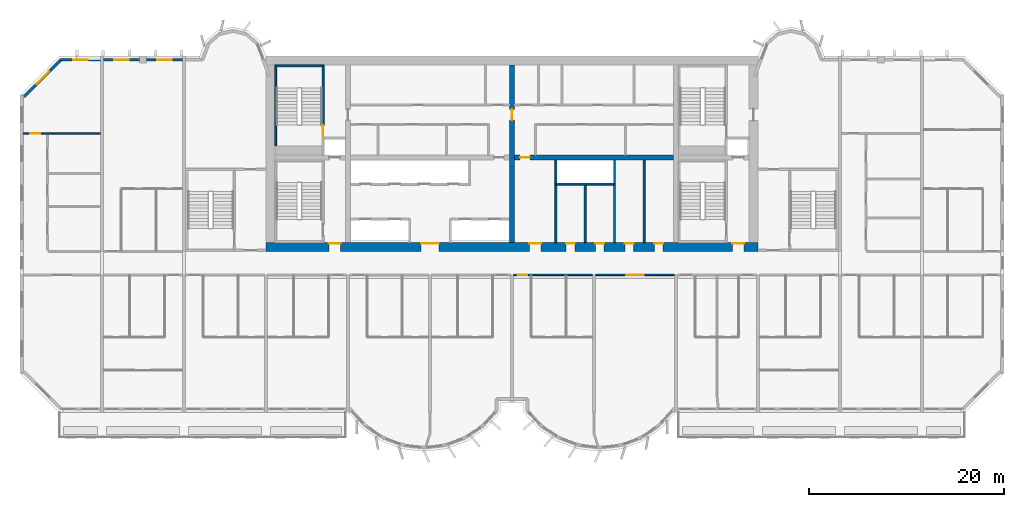
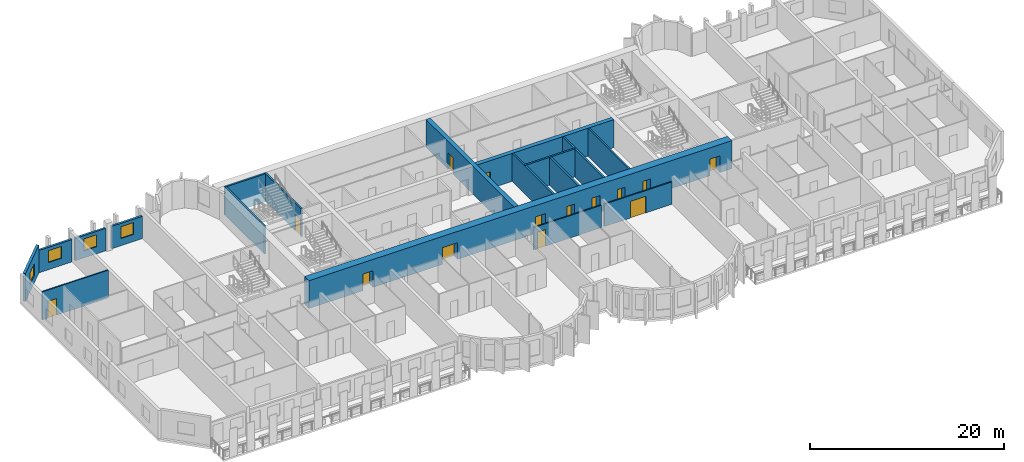
# One storey, part 6 of 14: 18 walls, 14 doors, 4 windows, 18 openings.
"""IFC4 building model written with IfcOpenShell, lengths in metres."""

from ifc_helpers import new_model, si_unit, direction, frame, frame_2d, origin, place, context, subcontext, project, spatial, rectangle, extrude, source, transform, mapped, material, layer, layer_set, type_object, element, fill, save


model = new_model("IFC4")

# Units and contexts
model_context = context("Model", 3, precision=1e-05, world=origin(), true_north=direction((0.0, 1.0)))
body_context = subcontext(model_context, "Body", "Model", "MODEL_VIEW")
ifc_project = project(units=[si_unit("LENGTHUNIT", "METRE"), si_unit("AREAUNIT", "SQUARE_METRE"), si_unit("VOLUMEUNIT", "CUBIC_METRE"), si_unit("PLANEANGLEUNIT", "RADIAN"), si_unit("MASSUNIT", "GRAM", prefix="KILO")], contexts=[model_context])

# Site, building, storey
site_placement = place(None, origin())
site = spatial("IfcSite", under=ifc_project, at=site_placement, CompositionType="ELEMENT")
building_placement = place(site_placement, origin())
building = spatial("IfcBuilding", under=site, at=building_placement, Name="Vanashikhar Sky Hotel", CompositionType="ELEMENT")
storey_placement = place(building_placement, frame((0.0, 0.0, 114.199951171875)))
storey = spatial("IfcBuildingStorey", under=building, at=storey_placement, Name="L27", CompositionType="ELEMENT", Elevation=114.199951171875)

# Wall, openings, doors
ifc_material_1 = material(Name="Concrete M70", Category="concrete")
ifc_layer_1 = layer(ifc_material_1, 0.89990234375)
ifc_layer_set_1 = layer_set([ifc_layer_1], Name="RC core shell wall 900 Concrete M70")
wall_type_1 = type_object("IfcWallType", Name="RC core shell wall 900 Concrete M70", PredefinedType="SHEAR", material=ifc_layer_set_1)
shared_shape_1 = source(origin(), body_context, "Body", "SweptSolid", [
    extrude(rectangle(XDim=50.400146484375, YDim=0.89990234375, at=frame_2d((25.2001953125, 0.0))), origin(), (0.0, 0.0, 1.0), 3.52001953125),
])
wall_1_placement = place(storey_placement, frame((25.199951171875, 22.449951171875, 0.0), z_axis=(0.0, 0.0, 1.0), x_axis=(1.0, 0.0, 0.0)))
wall_1 = element("IfcWall", 1, at=wall_1_placement, inside=storey, type_object=wall_type_1, Name="KW-L27-KS", PredefinedType="SHEAR", context=body_context, shape_type="MappedRepresentation", body=[
    mapped(shared_shape_1, transform((0.0, 0.0, 0.0), scale=1.0)),
])
shared_shape_2 = source(origin(), body_context, "Body", "SweptSolid", [
    extrude(rectangle(XDim=1.800048828125, YDim=2.10009765625, at=frame_2d((0.89990234375, 1.050048828125))), frame((0.0, 0.4599609375, 0.0), z_axis=(0.0, -1.0, 0.0), x_axis=(1.0, 0.0, 0.0)), (0.0, 0.0, 1.0), 0.919921875),
])
opening_1_placement = place(wall_1_placement, frame((15.89990234375, 0.0, 0.0)))
opening_1 = element("IfcOpeningElement", 2, at=opening_1_placement, cuts=wall_1, Name="Opening DC-3-A", PredefinedType="OPENING", context=body_context, shape_type="MappedRepresentation", body=[
    mapped(shared_shape_2, transform((0.0, 0.0, 0.0), scale=1.0)),
])
shared_shape_3 = source(origin(), body_context, "Body", "SweptSolid", [
    extrude(rectangle(XDim=1.199951171875, YDim=2.10009765625, at=frame_2d((0.60009765625, 1.050048828125))), frame((0.0, 0.4599609375, 0.0), z_axis=(0.0, -1.0, 0.0), x_axis=(1.0, 0.0, 0.0)), (0.0, 0.0, 1.0), 0.919921875),
])
opening_2_placement = place(wall_1_placement, frame((26.97509765625, 0.0, 0.0)))
opening_2 = element("IfcOpeningElement", 3, at=opening_2_placement, cuts=wall_1, Name="Opening DC-4-B", PredefinedType="OPENING", context=body_context, shape_type="MappedRepresentation", body=[
    mapped(shared_shape_3, transform((0.0, 0.0, 0.0), scale=1.0)),
])
shared_shape_4 = source(origin(), body_context, "Body", "SweptSolid", [
    extrude(rectangle(XDim=0.89990234375, YDim=2.10009765625, at=frame_2d((0.449951171875, 1.050048828125))), frame((0.0, 0.4599609375, 0.0), z_axis=(0.0, -1.0, 0.0), x_axis=(1.0, 0.0, 0.0)), (0.0, 0.0, 1.0), 0.919921875),
])
opening_3_placement = place(wall_1_placement, frame((33.75, 0.0, 0.0)))
opening_3 = element("IfcOpeningElement", 4, at=opening_3_placement, cuts=wall_1, Name="Opening DC-4-A", PredefinedType="OPENING", context=body_context, shape_type="MappedRepresentation", body=[
    mapped(shared_shape_4, transform((0.0, 0.0, 0.0), scale=1.0)),
])
opening_4_placement = place(wall_1_placement, frame((30.75, 0.0, 0.0)))
opening_4 = element("IfcOpeningElement", 5, at=opening_4_placement, cuts=wall_1, Name="Opening DC-4-A", PredefinedType="OPENING", context=body_context, shape_type="MappedRepresentation", body=[
    mapped(shared_shape_4, transform((0.0, 0.0, 0.0), scale=1.0)),
])
opening_5_placement = place(wall_1_placement, frame((39.7880859375, 0.0, 0.0)))
opening_5 = element("IfcOpeningElement", 6, at=opening_5_placement, cuts=wall_1, Name="Opening DC-4-A", PredefinedType="OPENING", context=body_context, shape_type="MappedRepresentation", body=[
    mapped(shared_shape_4, transform((0.0, 0.0, 0.0), scale=1.0)),
])
opening_6_placement = place(wall_1_placement, frame((36.761962890625, 0.0, 0.0)))
opening_6 = element("IfcOpeningElement", 7, at=opening_6_placement, cuts=wall_1, Name="Opening DC-4-A", PredefinedType="OPENING", context=body_context, shape_type="MappedRepresentation", body=[
    mapped(shared_shape_4, transform((0.0, 0.0, 0.0), scale=1.0)),
])
opening_7_placement = place(wall_1_placement, frame((6.449951171875, 0.0, 0.0)))
opening_7 = element("IfcOpeningElement", 8, at=opening_7_placement, cuts=wall_1, Name="Opening DC-2", PredefinedType="OPENING", context=body_context, shape_type="MappedRepresentation", body=[
    mapped(shared_shape_3, transform((0.0, 0.0, 0.0), scale=1.0)),
])
opening_8_placement = place(wall_1_placement, frame((47.77490234375, 0.0, 0.0)))
opening_8 = element("IfcOpeningElement", 9, at=opening_8_placement, cuts=wall_1, Name="Opening DC-2", PredefinedType="OPENING", context=body_context, shape_type="MappedRepresentation", body=[
    mapped(shared_shape_3, transform((0.0, 0.0, 0.0), scale=1.0)),
])
ifc_material_2 = material(Name="Glass", Category="glass")
door_type_1 = type_object("IfcDoorType", Name="Lift lobby entrance door 1800 FD30S", OperationType="NOTDEFINED", PredefinedType="DOOR", material=ifc_material_2)
shared_shape_5 = source(origin(), body_context, "Body", "SweptSolid", [
    extrude(rectangle(XDim=1.800048828125, YDim=2.10009765625, at=frame_2d((0.89990234375, 1.050048828125))), frame((0.0, 0.375, 0.0), z_axis=(0.0, -1.0, 0.0), x_axis=(1.0, 0.0, 0.0)), (0.0, 0.0, 1.0), 0.050048828125),
])
door_1_placement = place(opening_1_placement, origin())
door_1 = element("IfcDoor", 10, at=door_1_placement, inside=storey, type_object=door_type_1, Name="Lift lobby entrance door 1800 FD30S", OperationType="DOUBLE_DOOR_SINGLE_SWING", OverallHeight=2.10009765625, OverallWidth=1.800048828125, PredefinedType="DOOR", context=body_context, shape_type="MappedRepresentation", body=[
    mapped(shared_shape_5, transform((0.0, 0.0, 0.0), scale=1.0)),
])
fill(opening_1, door_1)
ifc_material_3 = material(Name="Steel", Category="steel")
door_type_2 = type_object("IfcDoorType", Name="Service door 1200 FD60", OperationType="NOTDEFINED", PredefinedType="DOOR", material=ifc_material_3)
shared_shape_6 = source(origin(), body_context, "Body", "SweptSolid", [
    extrude(rectangle(XDim=1.199951171875, YDim=2.10009765625, at=frame_2d((0.60009765625, 1.050048828125))), frame((0.0, 0.375, 0.0), z_axis=(0.0, -1.0, 0.0), x_axis=(1.0, 0.0, 0.0)), (0.0, 0.0, 1.0), 0.050048828125),
])
door_2_placement = place(opening_2_placement, origin())
door_2 = element("IfcDoor", 11, at=door_2_placement, inside=storey, type_object=door_type_2, Name="Service door 1200 FD60", OperationType="SINGLE_SWING_RIGHT", OverallHeight=2.10009765625, OverallWidth=1.199951171875, PredefinedType="DOOR", context=body_context, shape_type="MappedRepresentation", body=[
    mapped(shared_shape_6, transform((0.0, 0.0, 0.0), scale=1.0)),
])
fill(opening_2, door_2)
door_type_3 = type_object("IfcDoorType", Name="Firefighting lobby door 1200 FD120", OperationType="NOTDEFINED", PredefinedType="DOOR", material=ifc_material_3)
door_3_placement = place(opening_7_placement, origin())
door_3 = element("IfcDoor", 12, at=door_3_placement, inside=storey, type_object=door_type_3, Name="Firefighting lobby door 1200 FD120", OperationType="SINGLE_SWING_LEFT", OverallHeight=2.10009765625, OverallWidth=1.199951171875, PredefinedType="DOOR", context=body_context, shape_type="MappedRepresentation", body=[
    mapped(shared_shape_6, transform((0.0, 0.0, 0.0), scale=1.0)),
])
fill(opening_7, door_3)
door_4_placement = place(opening_8_placement, origin())
door_4 = element("IfcDoor", 13, at=door_4_placement, inside=storey, type_object=door_type_3, Name="Firefighting lobby door 1200 FD120", OperationType="SINGLE_SWING_LEFT", OverallHeight=2.10009765625, OverallWidth=1.199951171875, PredefinedType="DOOR", context=body_context, shape_type="MappedRepresentation", body=[
    mapped(shared_shape_6, transform((0.0, 0.0, 0.0), scale=1.0)),
])
fill(opening_8, door_4)
door_type_4 = type_object("IfcDoorType", Name="Service door 900 FD60", OperationType="NOTDEFINED", PredefinedType="DOOR", material=ifc_material_3)
shared_shape_7 = source(origin(), body_context, "Body", "SweptSolid", [
    extrude(rectangle(XDim=0.89990234375, YDim=2.10009765625, at=frame_2d((0.449951171875, 1.050048828125))), frame((0.0, 0.375, 0.0), z_axis=(0.0, -1.0, 0.0), x_axis=(1.0, 0.0, 0.0)), (0.0, 0.0, 1.0), 0.050048828125),
])
door_5_placement = place(opening_3_placement, origin())
door_5 = element("IfcDoor", 14, at=door_5_placement, inside=storey, type_object=door_type_4, Name="Service door 900 FD60", OperationType="SINGLE_SWING_RIGHT", OverallHeight=2.10009765625, OverallWidth=0.89990234375, PredefinedType="DOOR", context=body_context, shape_type="MappedRepresentation", body=[
    mapped(shared_shape_7, transform((0.0, 0.0, 0.0), scale=1.0)),
])
fill(opening_3, door_5)
door_6_placement = place(opening_4_placement, origin())
door_6 = element("IfcDoor", 15, at=door_6_placement, inside=storey, type_object=door_type_4, Name="Service door 900 FD60", OperationType="SINGLE_SWING_LEFT", OverallHeight=2.10009765625, OverallWidth=0.89990234375, PredefinedType="DOOR", context=body_context, shape_type="MappedRepresentation", body=[
    mapped(shared_shape_7, transform((0.0, 0.0, 0.0), scale=1.0)),
])
fill(opening_4, door_6)
door_7_placement = place(opening_5_placement, origin())
door_7 = element("IfcDoor", 16, at=door_7_placement, inside=storey, type_object=door_type_4, Name="Service door 900 FD60", OperationType="SINGLE_SWING_RIGHT", OverallHeight=2.10009765625, OverallWidth=0.89990234375, PredefinedType="DOOR", context=body_context, shape_type="MappedRepresentation", body=[
    mapped(shared_shape_7, transform((0.0, 0.0, 0.0), scale=1.0)),
])
fill(opening_5, door_7)
door_8_placement = place(opening_6_placement, origin())
door_8 = element("IfcDoor", 17, at=door_8_placement, inside=storey, type_object=door_type_4, Name="Service door 900 FD60", OperationType="SINGLE_SWING_LEFT", OverallHeight=2.10009765625, OverallWidth=0.89990234375, PredefinedType="DOOR", context=body_context, shape_type="MappedRepresentation", body=[
    mapped(shared_shape_7, transform((0.0, 0.0, 0.0), scale=1.0)),
])
fill(opening_6, door_8)

# Wall, opening, door
ifc_layer_2 = layer(ifc_material_1, 0.5)
ifc_layer_set_2 = layer_set([ifc_layer_2], Name="RC core inner wall 500 Concrete M70")
wall_type_2 = type_object("IfcWallType", Name="RC core inner wall 500 Concrete M70", PredefinedType="SHEAR", material=ifc_layer_set_2)
shared_shape_8 = source(origin(), body_context, "Body", "SweptSolid", [
    extrude(rectangle(XDim=18.2001953125, YDim=0.5, at=frame_2d((9.10009765625, 0.0))), origin(), (0.0, 0.0, 1.0), 3.52001953125),
])
wall_2_placement = place(storey_placement, frame((50.39990234375, 22.89990234375, 0.0), z_axis=(0.0, 0.0, 1.0), x_axis=(0.0, 1.0, 0.0)))
wall_2 = element("IfcWall", 18, at=wall_2_placement, inside=storey, type_object=wall_type_2, Name="KW-L27-KX2", PredefinedType="SHEAR", context=body_context, shape_type="MappedRepresentation", body=[
    mapped(shared_shape_8, transform((0.0, 0.0, 0.0), scale=1.0)),
])
shared_shape_9 = source(origin(), body_context, "Body", "SweptSolid", [
    extrude(rectangle(XDim=1.10009765625, YDim=2.10009765625, at=frame_2d((0.550048828125, 1.050048828125))), frame((0.0, 0.260009765625, 0.0), z_axis=(0.0, -1.0, 0.0), x_axis=(1.0, 0.0, 0.0)), (0.0, 0.0, 1.0), 0.52001953125),
])
opening_9_placement = place(wall_2_placement, frame((12.550048828125, 0.0, 0.0)))
opening_9 = element("IfcOpeningElement", 19, at=opening_9_placement, cuts=wall_2, Name="Opening DC-4-C", PredefinedType="OPENING", context=body_context, shape_type="MappedRepresentation", body=[
    mapped(shared_shape_9, transform((0.0, 0.0, 0.0), scale=1.0)),
])
door_type_5 = type_object("IfcDoorType", Name="Service door 1100 FD60", OperationType="NOTDEFINED", PredefinedType="DOOR", material=ifc_material_3)
shared_shape_10 = source(origin(), body_context, "Body", "SweptSolid", [
    extrude(rectangle(XDim=1.10009765625, YDim=2.10009765625, at=frame_2d((0.550048828125, 1.050048828125))), frame((0.0, 0.02490234375, 0.0), z_axis=(0.0, -1.0, 0.0), x_axis=(1.0, 0.0, 0.0)), (0.0, 0.0, 1.0), 0.050048828125),
])
door_9_placement = place(opening_9_placement, origin())
door_9 = element("IfcDoor", 20, at=door_9_placement, inside=storey, type_object=door_type_5, Name="Service door 1100 FD60", OperationType="SINGLE_SWING_RIGHT", OverallHeight=2.10009765625, OverallWidth=1.10009765625, PredefinedType="DOOR", context=body_context, shape_type="MappedRepresentation", body=[
    mapped(shared_shape_10, transform((0.0, 0.0, 0.0), scale=1.0)),
])
fill(opening_9, door_9)

shared_shape_11 = source(origin(), body_context, "Body", "SweptSolid", [
    extrude(rectangle(XDim=16.300048828125, YDim=0.5, at=frame_2d((8.14990234375, 0.0))), origin(), (0.0, 0.0, 1.0), 3.52001953125),
])
wall_3_placement = place(storey_placement, frame((50.64990234375, 31.60009765625, 0.0), z_axis=(0.0, 0.0, 1.0), x_axis=(1.0, 0.0, 0.0)))
wall_3 = element("IfcWall", 21, at=wall_3_placement, inside=storey, type_object=wall_type_2, Name="KW-L27-KY3", PredefinedType="SHEAR", context=body_context, shape_type="MappedRepresentation", body=[
    mapped(shared_shape_11, transform((0.0, 0.0, 0.0), scale=1.0)),
])
shared_shape_12 = source(origin(), body_context, "Body", "SweptSolid", [
    extrude(rectangle(XDim=1.0, YDim=2.10009765625, at=frame_2d((0.5, 1.050048828125))), frame((0.0, 0.260009765625, 0.0), z_axis=(0.0, -1.0, 0.0), x_axis=(1.0, 0.0, 0.0)), (0.0, 0.0, 1.0), 0.52001953125),
])
opening_10_placement = place(wall_3_placement, frame((0.574951171875, 0.0, 0.0)))
opening_10 = element("IfcOpeningElement", 22, at=opening_10_placement, cuts=wall_3, Name="Opening DC-4", PredefinedType="OPENING", context=body_context, shape_type="MappedRepresentation", body=[
    mapped(shared_shape_12, transform((0.0, 0.0, 0.0), scale=1.0)),
])
door_type_6 = type_object("IfcDoorType", Name="Service door 1000 FD60", OperationType="NOTDEFINED", PredefinedType="DOOR", material=ifc_material_3)
shared_shape_13 = source(origin(), body_context, "Body", "SweptSolid", [
    extrude(rectangle(XDim=1.0, YDim=2.10009765625, at=frame_2d((0.5, 1.050048828125))), frame((0.0, 0.02490234375, 0.0), z_axis=(0.0, -1.0, 0.0), x_axis=(1.0, 0.0, 0.0)), (0.0, 0.0, 1.0), 0.050048828125),
])
door_10_placement = place(opening_10_placement, origin())
door_10 = element("IfcDoor", 23, at=door_10_placement, inside=storey, type_object=door_type_6, Name="Service door 1000 FD60", OperationType="SINGLE_SWING_RIGHT", OverallHeight=2.10009765625, OverallWidth=1.0, PredefinedType="DOOR", context=body_context, shape_type="MappedRepresentation", body=[
    mapped(shared_shape_13, transform((0.0, 0.0, 0.0), scale=1.0)),
])
fill(opening_10, door_10)

# Wall, opening, window
ifc_material_4 = material(Name="Concrete M50", Category="concrete")
ifc_layer_3 = layer(ifc_material_4, 0.300048828125)
ifc_layer_set_3 = layer_set([ifc_layer_3], Name="Lobe wall 300")
wall_type_3 = type_object("IfcWallType", Name="Lobe wall 300", PredefinedType="SOLIDWALL", material=ifc_layer_set_3)
shared_shape_14 = source(origin(), body_context, "Body", "SweptSolid", [
    extrude(rectangle(XDim=5.32568359375, YDim=0.300048828125, at=frame_2d((2.662841796875, 0.0))), origin(), (0.0, 0.0, 1.0), 3.52001953125),
])
wall_4_placement = place(storey_placement, frame((4.165771484375, 41.60009765625, 0.0), z_axis=(0.0, 0.0, 1.0), x_axis=(-0.707106781187, -0.707106781187, 0.0)))
wall_4 = element("IfcWall", 24, at=wall_4_placement, inside=storey, type_object=wall_type_3, Name="Corner wall", PredefinedType="SOLIDWALL", context=body_context, shape_type="MappedRepresentation", body=[
    mapped(shared_shape_14, transform((0.0, 0.0, 0.0), scale=1.0)),
])
shared_shape_15 = source(origin(), body_context, "Body", "SweptSolid", [
    extrude(rectangle(XDim=1.800048828125, YDim=1.5, at=frame_2d((0.89990234375, 0.75))), frame((0.0, 0.16015625, 0.0), z_axis=(0.0, -1.0, 0.0), x_axis=(1.0, 0.0, 0.0)), (0.0, 0.0, 1.0), 0.320068359375),
])
opening_11_placement = place(wall_4_placement, frame((1.671875, 0.0, 0.89990234375)))
opening_11 = element("IfcOpeningElement", 25, at=opening_11_placement, cuts=wall_4, Name="Opening WN-4", PredefinedType="OPENING", context=body_context, shape_type="MappedRepresentation", body=[
    mapped(shared_shape_15, transform((0.0, 0.0, 0.0), scale=1.0)),
])
window_type_1 = type_object("IfcWindowType", Name="Corner window 1800 x 1500", PartitioningType="SINGLE_PANEL", PredefinedType="WINDOW", material=ifc_material_2)
shared_shape_16 = source(origin(), body_context, "Body", "SweptSolid", [
    extrude(rectangle(XDim=1.800048828125, YDim=1.5, at=frame_2d((0.89990234375, 0.75))), frame((0.0, 0.030029296875, 0.0), z_axis=(0.0, -1.0, 0.0), x_axis=(1.0, 0.0, 0.0)), (0.0, 0.0, 1.0), 0.06005859375),
])
window_1_placement = place(opening_11_placement, origin())
window_1 = element("IfcWindow", 26, at=window_1_placement, inside=storey, type_object=window_type_1, Name="Window WN-4", OverallHeight=1.5, OverallWidth=1.800048828125, PartitioningType="SINGLE_PANEL", PredefinedType="WINDOW", context=body_context, shape_type="MappedRepresentation", body=[
    mapped(shared_shape_16, transform((0.0, 0.0, 0.0), scale=1.0)),
])
fill(opening_11, window_1)

ifc_layer_4 = layer(ifc_material_4, 0.25)
ifc_layer_set_4 = layer_set([ifc_layer_4], Name="Rear and end board-marked wall 250")
wall_type_4 = type_object("IfcWallType", Name="Rear and end board-marked wall 250", PredefinedType="SOLIDWALL", material=ifc_layer_set_4)
shared_shape_17 = source(origin(), body_context, "Body", "SweptSolid", [
    extrude(rectangle(XDim=4.06982421875, YDim=0.25, at=frame_2d((2.034912109375, 0.0))), origin(), (0.0, 0.0, 1.0), 2.820068359375),
])
wall_5_placement = place(storey_placement, frame((8.22509765625, 41.625, 0.0), z_axis=(0.0, 0.0, 1.0), x_axis=(-1.0, 0.0, 0.0)))
wall_5 = element("IfcWall", 27, at=wall_5_placement, inside=storey, type_object=wall_type_4, Name="Rear board-marked wall", PredefinedType="SOLIDWALL", context=body_context, shape_type="MappedRepresentation", body=[
    mapped(shared_shape_17, transform((0.0, 0.0, 0.0), scale=1.0)),
])
shared_shape_18 = source(origin(), body_context, "Body", "SweptSolid", [
    extrude(rectangle(XDim=1.5, YDim=1.5, at=frame_2d((0.75, 0.75))), frame((0.0, 0.135009765625, 0.0), z_axis=(0.0, -1.0, 0.0), x_axis=(1.0, 0.0, 0.0)), (0.0, 0.0, 1.0), 0.27001953125),
])
opening_12_placement = place(wall_5_placement, frame((1.284912109375, 0.0, 0.89990234375)))
opening_12 = element("IfcOpeningElement", 28, at=opening_12_placement, cuts=wall_5, Name="Opening WN-1", PredefinedType="OPENING", context=body_context, shape_type="MappedRepresentation", body=[
    mapped(shared_shape_18, transform((0.0, 0.0, 0.0), scale=1.0)),
])
window_type_2 = type_object("IfcWindowType", Name="Window 1500 x 1500", PartitioningType="SINGLE_PANEL", PredefinedType="WINDOW", material=ifc_material_2)
shared_shape_19 = source(origin(), body_context, "Body", "SweptSolid", [
    extrude(rectangle(XDim=1.5, YDim=1.5, at=frame_2d((0.75, 0.75))), frame((0.0, 0.030029296875, 0.0), z_axis=(0.0, -1.0, 0.0), x_axis=(1.0, 0.0, 0.0)), (0.0, 0.0, 1.0), 0.06005859375),
])
window_2_placement = place(opening_12_placement, origin())
window_2 = element("IfcWindow", 29, at=window_2_placement, inside=storey, type_object=window_type_2, Name="Window WN-1", OverallHeight=1.5, OverallWidth=1.5, PartitioningType="SINGLE_PANEL", PredefinedType="WINDOW", context=body_context, shape_type="MappedRepresentation", body=[
    mapped(shared_shape_19, transform((0.0, 0.0, 0.0), scale=1.0)),
])
fill(opening_12, window_2)

shared_shape_20 = source(origin(), body_context, "Body", "SweptSolid", [
    extrude(rectangle(XDim=3.675048828125, YDim=0.25, at=frame_2d((1.83740234375, 0.0))), origin(), (0.0, 0.0, 1.0), 2.820068359375),
])
wall_6_placement = place(storey_placement, frame((12.25, 41.625, 0.0), z_axis=(0.0, 0.0, 1.0), x_axis=(-1.0, 0.0, 0.0)))
wall_6 = element("IfcWall", 30, at=wall_6_placement, inside=storey, type_object=wall_type_4, Name="Rear board-marked wall", PredefinedType="SOLIDWALL", context=body_context, shape_type="MappedRepresentation", body=[
    mapped(shared_shape_20, transform((0.0, 0.0, 0.0), scale=1.0)),
])
opening_13_placement = place(wall_6_placement, frame((1.08740234375, 0.0, 0.89990234375)))
opening_13 = element("IfcOpeningElement", 31, at=opening_13_placement, cuts=wall_6, Name="Opening WN-1", PredefinedType="OPENING", context=body_context, shape_type="MappedRepresentation", body=[
    mapped(shared_shape_18, transform((0.0, 0.0, 0.0), scale=1.0)),
])
window_3_placement = place(opening_13_placement, origin())
window_3 = element("IfcWindow", 32, at=window_3_placement, inside=storey, type_object=window_type_2, Name="Window WN-1", OverallHeight=1.5, OverallWidth=1.5, PartitioningType="SINGLE_PANEL", PredefinedType="WINDOW", context=body_context, shape_type="MappedRepresentation", body=[
    mapped(shared_shape_19, transform((0.0, 0.0, 0.0), scale=1.0)),
])
fill(opening_13, window_3)

wall_7_placement = place(storey_placement, frame((16.625, 41.625, 0.0), z_axis=(0.0, 0.0, 1.0), x_axis=(-1.0, 0.0, 0.0)))
wall_7 = element("IfcWall", 33, at=wall_7_placement, inside=storey, type_object=wall_type_4, Name="Rear board-marked wall", PredefinedType="SOLIDWALL", context=body_context, shape_type="MappedRepresentation", body=[
    mapped(shared_shape_20, transform((0.0, 0.0, 0.0), scale=1.0)),
])
opening_14_placement = place(wall_7_placement, frame((1.08740234375, 0.0, 0.89990234375)))
opening_14 = element("IfcOpeningElement", 34, at=opening_14_placement, cuts=wall_7, Name="Opening WN-1", PredefinedType="OPENING", context=body_context, shape_type="MappedRepresentation", body=[
    mapped(shared_shape_18, transform((0.0, 0.0, 0.0), scale=1.0)),
])
window_4_placement = place(opening_14_placement, origin())
window_4 = element("IfcWindow", 35, at=window_4_placement, inside=storey, type_object=window_type_2, Name="Window WN-1", OverallHeight=1.5, OverallWidth=1.5, PartitioningType="SINGLE_PANEL", PredefinedType="WINDOW", context=body_context, shape_type="MappedRepresentation", body=[
    mapped(shared_shape_19, transform((0.0, 0.0, 0.0), scale=1.0)),
])
fill(opening_14, window_4)

# Walls
ifc_material_5 = material(Name="Concrete M40", Category="concrete")
ifc_layer_5 = layer(ifc_material_5, 0.199951171875)
ifc_layer_set_5 = layer_set([ifc_layer_5], Name="Shaft wall 200")
wall_type_5 = type_object("IfcWallType", Name="Shaft wall 200", PredefinedType="SOLIDWALL", material=ifc_layer_set_5)
shared_shape_21 = source(origin(), body_context, "Body", "SweptSolid", [
    extrude(rectangle(XDim=6.0, YDim=0.199951171875, at=frame_2d((3.0, 0.0))), origin(), (0.0, 0.0, 1.0), 3.52001953125),
])
wall_8_placement = place(storey_placement, frame((60.89990234375, 28.89990234375, 0.0), z_axis=(0.0, 0.0, 1.0), x_axis=(-1.0, 0.0, 0.0)))
element("IfcWall", 36, at=wall_8_placement, inside=storey, type_object=wall_type_5, Name="Shaft wall 200", PredefinedType="SOLIDWALL", context=body_context, shape_type="MappedRepresentation", body=[
    mapped(shared_shape_21, transform((0.0, 0.0, 0.0), scale=1.0)),
])
ifc_material_6 = material(Name="Gypsum board partition")
ifc_layer_6 = layer(ifc_material_6, 0.14990234375)
ifc_layer_set_6 = layer_set([ifc_layer_6], Name="Service partition 150")
wall_type_6 = type_object("IfcWallType", Name="Service partition 150", PredefinedType="PARTITIONING", material=ifc_layer_set_6)
wall_9_placement = place(storey_placement, frame((57.89990234375, 22.89990234375, 0.0), z_axis=(0.0, 0.0, 1.0), x_axis=(0.0, 1.0, 0.0)))
element("IfcWall", 37, at=wall_9_placement, inside=storey, type_object=wall_type_6, Name="Service partition 150", PredefinedType="PARTITIONING", context=body_context, shape_type="MappedRepresentation", body=[
    mapped(shared_shape_21, transform((0.0, 0.0, 0.0), scale=1.0)),
])
shared_shape_22 = source(origin(), body_context, "Body", "SweptSolid", [
    extrude(rectangle(XDim=8.4501953125, YDim=0.199951171875, at=frame_2d((4.22509765625, 0.0))), origin(), (0.0, 0.0, 1.0), 3.52001953125),
])
for number, where, z_axis, x_axis, name in (
    (38, (54.89990234375, 22.89990234375, 0.0), (0.0, 0.0, 1.0), (0.0, 1.0, 0.0), "Service partition 150"),
    (39, (60.89990234375, 22.89990234375, 0.0), (0.0, 0.0, 1.0), (0.0, 1.0, 0.0), "Service partition 150"),
    (40, (63.925048828125, 22.89990234375, 0.0), (0.0, 0.0, 1.0), (0.0, 1.0, 0.0), "Service partition 150"),
):
    element("IfcWall", number, at=place(storey_placement, frame(where, z_axis=z_axis, x_axis=x_axis)), inside=storey, type_object=wall_type_6, Name=name, PredefinedType="PARTITIONING", context=body_context, shape_type="MappedRepresentation", body=[
        mapped(shared_shape_22, transform((0.0, 0.0, 0.0), scale=1.0)),
    ])

# Wall, opening, door
ifc_layer_7 = layer(ifc_material_4, 0.199951171875)
ifc_layer_set_7 = layer_set([ifc_layer_7], Name="Stair wall 200")
wall_type_7 = type_object("IfcWallType", Name="Stair wall 200", PredefinedType="SOLIDWALL", material=ifc_layer_set_7)
shared_shape_23 = source(origin(), body_context, "Body", "SweptSolid", [
    extrude(rectangle(XDim=7.5, YDim=0.199951171875, at=frame_2d((3.75, 0.0))), origin(), (0.0, 0.0, 1.0), 3.52001953125),
])
wall_10_placement = place(storey_placement, frame((31.050048828125, 33.60009765625, 0.0), z_axis=(0.0, 0.0, 1.0), x_axis=(0.0, 1.0, 0.0)))
wall_10 = element("IfcWall", 41, at=wall_10_placement, inside=storey, type_object=wall_type_7, Name="Stair wall 200", PredefinedType="SOLIDWALL", context=body_context, shape_type="MappedRepresentation", body=[
    mapped(shared_shape_23, transform((0.0, 0.0, 0.0), scale=1.0)),
])
shared_shape_24 = source(origin(), body_context, "Body", "SweptSolid", [
    extrude(rectangle(XDim=1.199951171875, YDim=2.10009765625, at=frame_2d((0.60009765625, 1.050048828125))), frame((0.0, 0.10986328125, 0.0), z_axis=(0.0, -1.0, 0.0), x_axis=(1.0, 0.0, 0.0)), (0.0, 0.0, 1.0), 0.219970703125),
])
opening_15_placement = place(wall_10_placement, frame((0.10009765625, 0.0, 0.0)))
opening_15 = element("IfcOpeningElement", 42, at=opening_15_placement, cuts=wall_10, Name="Opening DC-1", PredefinedType="OPENING", context=body_context, shape_type="MappedRepresentation", body=[
    mapped(shared_shape_24, transform((0.0, 0.0, 0.0), scale=1.0)),
])
door_type_7 = type_object("IfcDoorType", Name="Stair door 1200 FD120", OperationType="NOTDEFINED", PredefinedType="DOOR", material=ifc_material_3)
shared_shape_25 = source(origin(), body_context, "Body", "SweptSolid", [
    extrude(rectangle(XDim=1.199951171875, YDim=2.10009765625, at=frame_2d((0.60009765625, 1.050048828125))), frame((0.0, 0.02490234375, 0.0), z_axis=(0.0, -1.0, 0.0), x_axis=(1.0, 0.0, 0.0)), (0.0, 0.0, 1.0), 0.050048828125),
])
door_11_placement = place(opening_15_placement, origin())
door_11 = element("IfcDoor", 43, at=door_11_placement, inside=storey, type_object=door_type_7, Name="Stair door 1200 FD120", OperationType="SINGLE_SWING_RIGHT", OverallHeight=2.10009765625, OverallWidth=1.199951171875, PredefinedType="DOOR", context=body_context, shape_type="MappedRepresentation", body=[
    mapped(shared_shape_25, transform((0.0, 0.0, 0.0), scale=1.0)),
])
fill(opening_15, door_11)

# Walls
ifc_layer_8 = layer(ifc_material_4, 0.199951171875)
ifc_layer_set_8 = layer_set([ifc_layer_8], Name="Stair infill wall 200")
wall_type_8 = type_object("IfcWallType", Name="Stair infill wall 200", PredefinedType="SOLIDWALL", material=ifc_layer_set_8)
shared_shape_26 = source(origin(), body_context, "Body", "SweptSolid", [
    extrude(rectangle(XDim=4.849853515625, YDim=0.199951171875, at=frame_2d((2.4248046875, 0.0))), origin(), (0.0, 0.0, 1.0), 3.52001953125),
])
wall_11_placement = place(storey_placement, frame((26.10009765625, 41.0, 0.0), z_axis=(0.0, 0.0, 1.0), x_axis=(1.0, 0.0, 0.0)))
element("IfcWall", 44, at=wall_11_placement, inside=storey, type_object=wall_type_8, Name="Stair infill wall 200", PredefinedType="SOLIDWALL", context=body_context, shape_type="MappedRepresentation", body=[
    mapped(shared_shape_26, transform((0.0, 0.0, 0.0), scale=1.0)),
])
shared_shape_27 = source(origin(), body_context, "Body", "SweptSolid", [
    extrude(rectangle(XDim=8.099853515625, YDim=0.199951171875, at=frame_2d((4.0498046875, 0.0))), origin(), (0.0, 0.0, 1.0), 3.52001953125),
])
wall_12_placement = place(storey_placement, frame((26.199951171875, 32.800048828125, 0.0), z_axis=(0.0, 0.0, 1.0), x_axis=(0.0, 1.0, 0.0)))
element("IfcWall", 45, at=wall_12_placement, inside=storey, type_object=wall_type_8, Name="Stair infill wall 200", PredefinedType="SOLIDWALL", context=body_context, shape_type="MappedRepresentation", body=[
    mapped(shared_shape_27, transform((0.0, 0.0, 0.0), scale=1.0)),
])

# Wall, opening, door
ifc_material_7 = material(Name="Gypsum plasterboard partition")
ifc_layer_9 = layer(ifc_material_7, 0.14990234375)
ifc_layer_set_9 = layer_set([ifc_layer_9], Name="Corridor and demising partition 150")
wall_type_9 = type_object("IfcWallType", Name="Corridor and demising partition 150", PredefinedType="PARTITIONING", material=ifc_layer_set_9)
shared_shape_28 = source(origin(), body_context, "Body", "SweptSolid", [
    extrude(rectangle(XDim=8.050048828125, YDim=0.14990234375, at=frame_2d((4.02490234375, 0.0))), origin(), (0.0, 0.0, 1.0), 2.820068359375),
])
wall_13_placement = place(storey_placement, frame((50.574951171875, 19.60009765625, 0.0), z_axis=(0.0, 0.0, 1.0), x_axis=(1.0, 0.0, 0.0)))
wall_13 = element("IfcWall", 46, at=wall_13_placement, inside=storey, type_object=wall_type_9, Name="W-L27-PW032", PredefinedType="PARTITIONING", context=body_context, shape_type="MappedRepresentation", body=[
    mapped(shared_shape_28, transform((0.0, 0.0, 0.0), scale=1.0)),
])
shared_shape_29 = source(origin(), body_context, "Body", "SweptSolid", [
    extrude(rectangle(XDim=1.0, YDim=2.10009765625, at=frame_2d((0.5, 1.050048828125))), frame((0.0, 0.0849609375, 0.0), z_axis=(0.0, -1.0, 0.0), x_axis=(1.0, 0.0, 0.0)), (0.0, 0.0, 1.0), 0.169921875),
])
opening_16_placement = place(wall_13_placement, frame((0.39990234375, 0.0, 0.0)))
opening_16 = element("IfcOpeningElement", 47, at=opening_16_placement, cuts=wall_13, Name="Opening D-01", PredefinedType="OPENING", context=body_context, shape_type="MappedRepresentation", body=[
    mapped(shared_shape_29, transform((0.0, 0.0, 0.0), scale=1.0)),
])
ifc_material_8 = material(Name="Timber fire door", Category="wood")
door_type_8 = type_object("IfcDoorType", Name="Guest entry door 1000 FD30S", OperationType="NOTDEFINED", PredefinedType="DOOR", material=ifc_material_8)
door_12_placement = place(opening_16_placement, origin())
door_12 = element("IfcDoor", 48, at=door_12_placement, inside=storey, type_object=door_type_8, Name="D-L27-020", OperationType="SINGLE_SWING_LEFT", OverallHeight=2.10009765625, OverallWidth=1.0, PredefinedType="DOOR", context=body_context, shape_type="MappedRepresentation", body=[
    mapped(shared_shape_13, transform((0.0, 0.0, 0.0), scale=1.0)),
])
fill(opening_16, door_12)

shared_shape_30 = source(origin(), body_context, "Body", "SweptSolid", [
    extrude(rectangle(XDim=8.0498046875, YDim=0.14990234375, at=frame_2d((4.02490234375, 0.0))), origin(), (0.0, 0.0, 1.0), 2.820068359375),
])
wall_14_placement = place(storey_placement, frame((58.97509765625, 19.60009765625, 0.0), z_axis=(0.0, 0.0, 1.0), x_axis=(1.0, 0.0, 0.0)))
wall_14 = element("IfcWall", 49, at=wall_14_placement, inside=storey, type_object=wall_type_9, Name="W-L27-PW033", PredefinedType="PARTITIONING", context=body_context, shape_type="MappedRepresentation", body=[
    mapped(shared_shape_30, transform((0.0, 0.0, 0.0), scale=1.0)),
])
shared_shape_31 = source(origin(), body_context, "Body", "SweptSolid", [
    extrude(rectangle(XDim=1.800048828125, YDim=2.10009765625, at=frame_2d((0.89990234375, 1.050048828125))), frame((0.0, 0.0849609375, 0.0), z_axis=(0.0, -1.0, 0.0), x_axis=(1.0, 0.0, 0.0)), (0.0, 0.0, 1.0), 0.169921875),
])
opening_17_placement = place(wall_14_placement, frame((3.125, 0.0, 0.0)))
opening_17 = element("IfcOpeningElement", 50, at=opening_17_placement, cuts=wall_14, Name="Opening D-03", PredefinedType="OPENING", context=body_context, shape_type="MappedRepresentation", body=[
    mapped(shared_shape_31, transform((0.0, 0.0, 0.0), scale=1.0)),
])
door_type_9 = type_object("IfcDoorType", Name="Double leaf door 1800 FD30S", OperationType="NOTDEFINED", PredefinedType="DOOR", material=ifc_material_8)
shared_shape_32 = source(origin(), body_context, "Body", "SweptSolid", [
    extrude(rectangle(XDim=1.800048828125, YDim=2.10009765625, at=frame_2d((0.89990234375, 1.050048828125))), frame((0.0, 0.02490234375, 0.0), z_axis=(0.0, -1.0, 0.0), x_axis=(1.0, 0.0, 0.0)), (0.0, 0.0, 1.0), 0.050048828125),
])
door_13_placement = place(opening_17_placement, origin())
door_13 = element("IfcDoor", 51, at=door_13_placement, inside=storey, type_object=door_type_9, Name="D-L27-021", OperationType="DOUBLE_DOOR_SINGLE_SWING", OverallHeight=2.10009765625, OverallWidth=1.800048828125, PredefinedType="DOOR", context=body_context, shape_type="MappedRepresentation", body=[
    mapped(shared_shape_32, transform((0.0, 0.0, 0.0), scale=1.0)),
])
fill(opening_17, door_13)

shared_shape_33 = source(origin(), body_context, "Body", "SweptSolid", [
    extrude(rectangle(XDim=7.875, YDim=0.14990234375, at=frame_2d((3.9375, 0.0))), origin(), (0.0, 0.0, 1.0), 3.52001953125),
])
wall_15_placement = place(storey_placement, frame((0.35009765625, 34.074951171875, 0.0), z_axis=(0.0, 0.0, 1.0), x_axis=(1.0, 0.0, 0.0)))
wall_15 = element("IfcWall", 52, at=wall_15_placement, inside=storey, type_object=wall_type_9, Name="W-L27-PW065", PredefinedType="PARTITIONING", context=body_context, shape_type="MappedRepresentation", body=[
    mapped(shared_shape_33, transform((0.0, 0.0, 0.0), scale=1.0)),
])
opening_18_placement = place(wall_15_placement, frame((0.699951171875, 0.0, 0.0)))
opening_18 = element("IfcOpeningElement", 53, at=opening_18_placement, cuts=wall_15, Name="Opening D-01", PredefinedType="OPENING", context=body_context, shape_type="MappedRepresentation", body=[
    mapped(shared_shape_29, transform((0.0, 0.0, 0.0), scale=1.0)),
])
door_14_placement = place(opening_18_placement, origin())
door_14 = element("IfcDoor", 54, at=door_14_placement, inside=storey, type_object=door_type_8, Name="D-L27-039", OperationType="SINGLE_SWING_LEFT", OverallHeight=2.10009765625, OverallWidth=1.0, PredefinedType="DOOR", context=body_context, shape_type="MappedRepresentation", body=[
    mapped(shared_shape_13, transform((0.0, 0.0, 0.0), scale=1.0)),
])
fill(opening_18, door_14)

save(model, "model.ifc")
